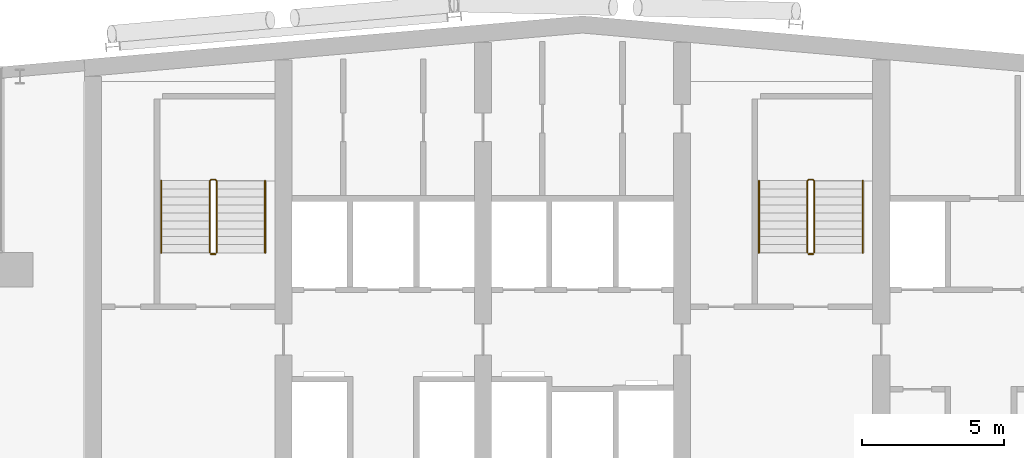
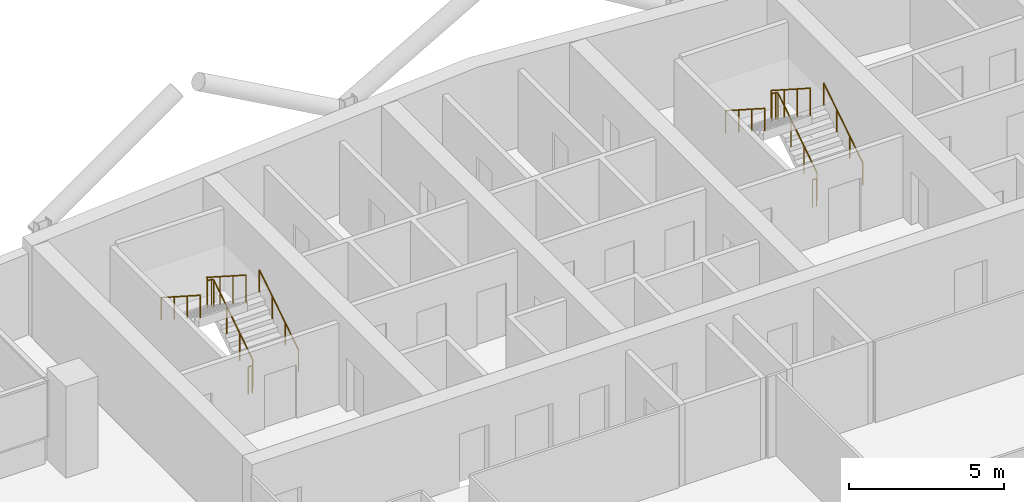
# One storey, part 28 of 28: 8 railings.
"""IFC4 building model written with IfcOpenShell, lengths in metres."""

from ifc_helpers import new_model, si_unit, direction, frame, origin, origin_2d, place, context, subcontext, project, spatial, circle, extrude, material, type_object, element, save


model = new_model("IFC4")

# Units and contexts
model_context = context("Model", 3, precision=1e-05, world=origin(), true_north=direction((0.0, 1.0)))
body_context = subcontext(model_context, "Body", "Model", "MODEL_VIEW")
ifc_project = project(units=[si_unit("LENGTHUNIT", "METRE"), si_unit("AREAUNIT", "SQUARE_METRE"), si_unit("VOLUMEUNIT", "CUBIC_METRE"), si_unit("PLANEANGLEUNIT", "RADIAN"), si_unit("MASSUNIT", "GRAM", prefix="KILO")], contexts=[model_context])

# Site, building, storey
site_placement = place(None, origin())
site = spatial("IfcSite", under=ifc_project, at=site_placement, CompositionType="ELEMENT")
building_placement = place(site_placement, origin())
building = spatial("IfcBuilding", under=site, at=building_placement, Name="Wharfspan Tower", CompositionType="ELEMENT")
storey_placement = place(building_placement, frame((0.0, 0.0, 250.300049)))
storey = spatial("IfcBuildingStorey", under=building, at=storey_placement, Name="L63", CompositionType="ELEMENT", Elevation=250.300049)

# Railings
ifc_material = material(Name="Steel S355J2", Category="steel")
railing_type_1 = type_object("IfcRailingType", Name="Stair guard 1100", PredefinedType="GUARDRAIL", material=ifc_material)
railing_1_placement = place(storey_placement, frame((27.649902, 42.0, 0.179932)))
element("IfcRailing", 1, at=railing_1_placement, inside=storey, type_object=railing_type_1, Name="L63 ST1 stair guard 1", PredefinedType="GUARDRAIL", context=body_context, shape_type="SweptSolid", body=[
    extrude(circle(Radius=0.023926, at=origin_2d()), frame((0.0, 0.0, 1.076172), z_axis=(0.0, 0.841163, 0.540782), x_axis=(-1.0, 0.0, 0.0)), (0.0, 0.0, 1.0), 2.99585),
    extrude(circle(Radius=0.023926, at=origin_2d()), frame((0.0, 2.52002, 2.696289), z_axis=(-0.705376, 0.708834, 0.0), x_axis=(-0.708834, -0.705376, 0.0)), (0.0, 0.0, 1.0), 0.070557),
    extrude(circle(Radius=0.023926, at=origin_2d()), frame((-0.049805, 2.570068, 2.696289), z_axis=(-1.0, 0.0, 0.0), x_axis=(0.0, -1.0, 0.0)), (0.0, 0.0, 1.0), 0.150146),
    extrude(circle(Radius=0.023926, at=origin_2d()), frame((-0.199951, 2.570068, 2.696289), z_axis=(-0.258848, -0.258848, 0.930589), x_axis=(0.707107, -0.707107, 0.0)), (0.0, 0.0, 1.0), 0.193359),
    extrude(circle(Radius=0.023926, at=origin_2d()), frame((-0.25, 2.52002, 2.875977), z_axis=(0.0, -0.8412, 0.540725), x_axis=(1.0, 0.0, 0.0)), (0.0, 0.0, 1.0), 2.99585),
    extrude(circle(Radius=0.020996, at=origin_2d()), origin(), (0.0, 0.0, 1.0), 1.052002),
    extrude(circle(Radius=0.020996, at=origin_2d()), frame((0.0, 0.840088, 0.540039)), (0.0, 0.0, 1.0), 1.052002),
    extrude(circle(Radius=0.020996, at=origin_2d()), frame((0.0, 1.679932, 1.080078)), (0.0, 0.0, 1.0), 1.052002),
    extrude(circle(Radius=0.020996, at=origin_2d()), frame((0.0, 2.52002, 1.620117)), (0.0, 0.0, 1.0), 1.052002),
    extrude(circle(Radius=0.020996, at=origin_2d()), frame((-0.049805, 2.570068, 1.620117)), (0.0, 0.0, 1.0), 1.052002),
    extrude(circle(Radius=0.020996, at=origin_2d()), frame((-0.199951, 2.570068, 1.620117)), (0.0, 0.0, 1.0), 1.052002),
    extrude(circle(Radius=0.020996, at=origin_2d()), frame((-0.25, 2.52002, 1.800049)), (0.0, 0.0, 1.0), 1.052002),
    extrude(circle(Radius=0.020996, at=origin_2d()), frame((-0.25, 1.679932, 2.340088)), (0.0, 0.0, 1.0), 1.052002),
    extrude(circle(Radius=0.020996, at=origin_2d()), frame((-0.25, 0.840088, 2.879883)), (0.0, 0.0, 1.0), 1.052002),
    extrude(circle(Radius=0.020996, at=origin_2d()), frame((-0.25, 0.0, 3.419922)), (0.0, 0.0, 1.0), 1.052002),
])
railing_2_placement = place(storey_placement, frame((27.600098, 41.949951, 0.0)))
element("IfcRailing", 2, at=railing_2_placement, inside=storey, type_object=railing_type_1, Name="L63 ST1 stair guard 2", PredefinedType="GUARDRAIL", context=body_context, shape_type="SweptSolid", body=[
    extrude(circle(Radius=0.023926, at=origin_2d()), frame((0.0, 0.0, 1.076172), z_axis=(-1.0, 0.0, 0.0), x_axis=(0.0, -1.0, 0.0)), (0.0, 0.0, 1.0), 0.150146),
    extrude(circle(Radius=0.020996, at=origin_2d()), origin(), (0.0, 0.0, 1.0), 1.052002),
    extrude(circle(Radius=0.020996, at=origin_2d()), frame((-0.150146, 0.0, 0.0)), (0.0, 0.0, 1.0), 1.052002),
])
railing_3_placement = place(storey_placement, frame((48.649902, 42.0, 0.179932)))
element("IfcRailing", 3, at=railing_3_placement, inside=storey, type_object=railing_type_1, Name="L63 ST2 stair guard 1", PredefinedType="GUARDRAIL", context=body_context, shape_type="SweptSolid", body=[
    extrude(circle(Radius=0.023926, at=origin_2d()), frame((0.0, 0.0, 1.076172), z_axis=(0.0, 0.841163, 0.540782), x_axis=(-1.0, 0.0, 0.0)), (0.0, 0.0, 1.0), 2.99585),
    extrude(circle(Radius=0.023926, at=origin_2d()), frame((0.0, 2.52002, 2.696289), z_axis=(-0.705376, 0.708834, 0.0), x_axis=(-0.708834, -0.705376, 0.0)), (0.0, 0.0, 1.0), 0.070557),
    extrude(circle(Radius=0.023926, at=origin_2d()), frame((-0.049805, 2.570068, 2.696289), z_axis=(-1.0, 0.0, 0.0), x_axis=(0.0, -1.0, 0.0)), (0.0, 0.0, 1.0), 0.150146),
    extrude(circle(Radius=0.023926, at=origin_2d()), frame((-0.199951, 2.570068, 2.696289), z_axis=(-0.258848, -0.258848, 0.930589), x_axis=(0.707107, -0.707107, 0.0)), (0.0, 0.0, 1.0), 0.193359),
    extrude(circle(Radius=0.023926, at=origin_2d()), frame((-0.25, 2.52002, 2.875977), z_axis=(0.0, -0.8412, 0.540725), x_axis=(1.0, 0.0, 0.0)), (0.0, 0.0, 1.0), 2.99585),
    extrude(circle(Radius=0.020996, at=origin_2d()), origin(), (0.0, 0.0, 1.0), 1.052002),
    extrude(circle(Radius=0.020996, at=origin_2d()), frame((0.0, 0.840088, 0.540039)), (0.0, 0.0, 1.0), 1.052002),
    extrude(circle(Radius=0.020996, at=origin_2d()), frame((0.0, 1.679932, 1.080078)), (0.0, 0.0, 1.0), 1.052002),
    extrude(circle(Radius=0.020996, at=origin_2d()), frame((0.0, 2.52002, 1.620117)), (0.0, 0.0, 1.0), 1.052002),
    extrude(circle(Radius=0.020996, at=origin_2d()), frame((-0.049805, 2.570068, 1.620117)), (0.0, 0.0, 1.0), 1.052002),
    extrude(circle(Radius=0.020996, at=origin_2d()), frame((-0.199951, 2.570068, 1.620117)), (0.0, 0.0, 1.0), 1.052002),
    extrude(circle(Radius=0.020996, at=origin_2d()), frame((-0.25, 2.52002, 1.800049)), (0.0, 0.0, 1.0), 1.052002),
    extrude(circle(Radius=0.020996, at=origin_2d()), frame((-0.25, 1.679932, 2.340088)), (0.0, 0.0, 1.0), 1.052002),
    extrude(circle(Radius=0.020996, at=origin_2d()), frame((-0.25, 0.840088, 2.879883)), (0.0, 0.0, 1.0), 1.052002),
    extrude(circle(Radius=0.020996, at=origin_2d()), frame((-0.25, 0.0, 3.419922)), (0.0, 0.0, 1.0), 1.052002),
])
railing_4_placement = place(storey_placement, frame((48.600098, 41.949951, 0.0)))
element("IfcRailing", 4, at=railing_4_placement, inside=storey, type_object=railing_type_1, Name="L63 ST2 stair guard 2", PredefinedType="GUARDRAIL", context=body_context, shape_type="SweptSolid", body=[
    extrude(circle(Radius=0.023926, at=origin_2d()), frame((0.0, 0.0, 1.076172), z_axis=(-1.0, 0.0, 0.0), x_axis=(0.0, -1.0, 0.0)), (0.0, 0.0, 1.0), 0.150146),
    extrude(circle(Radius=0.020996, at=origin_2d()), origin(), (0.0, 0.0, 1.0), 1.052002),
    extrude(circle(Radius=0.020996, at=origin_2d()), frame((-0.150146, 0.0, 0.0)), (0.0, 0.0, 1.0), 1.052002),
])
railing_type_2 = type_object("IfcRailingType", Name="Stair handrail 900", PredefinedType="HANDRAIL", material=ifc_material)
railing_5_placement = place(storey_placement, frame((29.350098, 42.0, 0.179932)))
element("IfcRailing", 5, at=railing_5_placement, inside=storey, type_object=railing_type_2, Name="L63 ST1 stair handrail 1", PredefinedType="HANDRAIL", context=body_context, shape_type="SweptSolid", body=[
    extrude(circle(Radius=0.023926, at=origin_2d()), frame((0.0, 0.0, 0.875977), z_axis=(0.0, 0.841163, 0.540782), x_axis=(-1.0, 0.0, 0.0)), (0.0, 0.0, 1.0), 2.99585),
    extrude(circle(Radius=0.020996, at=origin_2d()), origin(), (0.0, 0.0, 1.0), 0.851807),
    extrude(circle(Radius=0.020996, at=origin_2d()), frame((0.0, 0.840088, 0.540039)), (0.0, 0.0, 1.0), 0.851807),
    extrude(circle(Radius=0.020996, at=origin_2d()), frame((0.0, 1.679932, 1.080078)), (0.0, 0.0, 1.0), 0.851807),
    extrude(circle(Radius=0.020996, at=origin_2d()), frame((0.0, 2.52002, 1.620117)), (0.0, 0.0, 1.0), 0.851807),
])
railing_6_placement = place(storey_placement, frame((25.699951, 44.52002, 1.97998)))
element("IfcRailing", 6, at=railing_6_placement, inside=storey, type_object=railing_type_2, Name="L63 ST1 stair handrail 2", PredefinedType="HANDRAIL", context=body_context, shape_type="SweptSolid", body=[
    extrude(circle(Radius=0.023926, at=origin_2d()), frame((0.0, 0.0, 0.875977), z_axis=(0.0, -0.8412, 0.540725), x_axis=(1.0, 0.0, 0.0)), (0.0, 0.0, 1.0), 2.99585),
    extrude(circle(Radius=0.020996, at=origin_2d()), origin(), (0.0, 0.0, 1.0), 0.851807),
    extrude(circle(Radius=0.020996, at=origin_2d()), frame((0.0, -0.840088, 0.540039)), (0.0, 0.0, 1.0), 0.851807),
    extrude(circle(Radius=0.020996, at=origin_2d()), frame((0.0, -1.679932, 1.079834)), (0.0, 0.0, 1.0), 0.851807),
    extrude(circle(Radius=0.020996, at=origin_2d()), frame((0.0, -2.52002, 1.619873)), (0.0, 0.0, 1.0), 0.851807),
])
railing_7_placement = place(storey_placement, frame((50.350098, 42.0, 0.179932)))
element("IfcRailing", 7, at=railing_7_placement, inside=storey, type_object=railing_type_2, Name="L63 ST2 stair handrail 1", PredefinedType="HANDRAIL", context=body_context, shape_type="SweptSolid", body=[
    extrude(circle(Radius=0.023926, at=origin_2d()), frame((0.0, 0.0, 0.875977), z_axis=(0.0, 0.841163, 0.540782), x_axis=(-1.0, 0.0, 0.0)), (0.0, 0.0, 1.0), 2.99585),
    extrude(circle(Radius=0.020996, at=origin_2d()), origin(), (0.0, 0.0, 1.0), 0.851807),
    extrude(circle(Radius=0.020996, at=origin_2d()), frame((0.0, 0.840088, 0.540039)), (0.0, 0.0, 1.0), 0.851807),
    extrude(circle(Radius=0.020996, at=origin_2d()), frame((0.0, 1.679932, 1.080078)), (0.0, 0.0, 1.0), 0.851807),
    extrude(circle(Radius=0.020996, at=origin_2d()), frame((0.0, 2.52002, 1.620117)), (0.0, 0.0, 1.0), 0.851807),
])
railing_8_placement = place(storey_placement, frame((46.699951, 44.52002, 1.97998)))
element("IfcRailing", 8, at=railing_8_placement, inside=storey, type_object=railing_type_2, Name="L63 ST2 stair handrail 2", PredefinedType="HANDRAIL", context=body_context, shape_type="SweptSolid", body=[
    extrude(circle(Radius=0.023926, at=origin_2d()), frame((0.0, 0.0, 0.875977), z_axis=(0.0, -0.8412, 0.540725), x_axis=(1.0, 0.0, 0.0)), (0.0, 0.0, 1.0), 2.99585),
    extrude(circle(Radius=0.020996, at=origin_2d()), origin(), (0.0, 0.0, 1.0), 0.851807),
    extrude(circle(Radius=0.020996, at=origin_2d()), frame((0.0, -0.840088, 0.540039)), (0.0, 0.0, 1.0), 0.851807),
    extrude(circle(Radius=0.020996, at=origin_2d()), frame((0.0, -1.679932, 1.079834)), (0.0, 0.0, 1.0), 0.851807),
    extrude(circle(Radius=0.020996, at=origin_2d()), frame((0.0, -2.52002, 1.619873)), (0.0, 0.0, 1.0), 0.851807),
])

save(model, "model.ifc")
